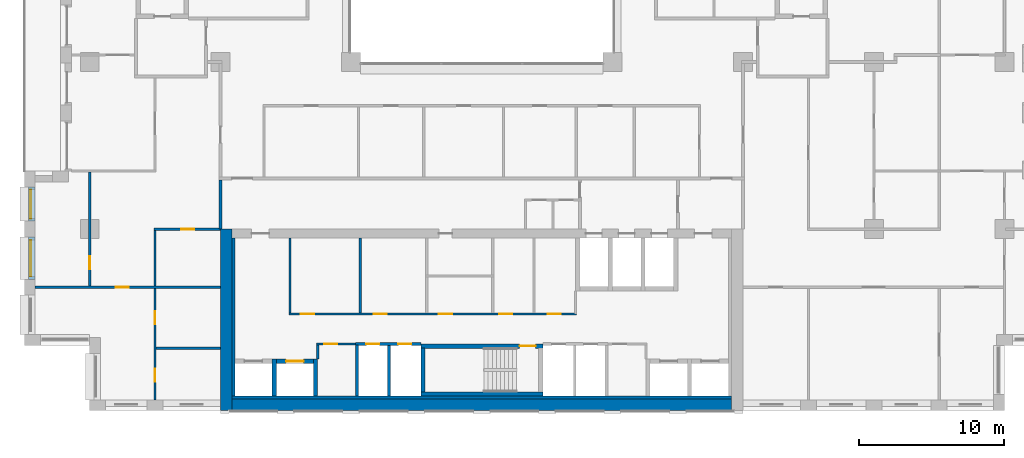
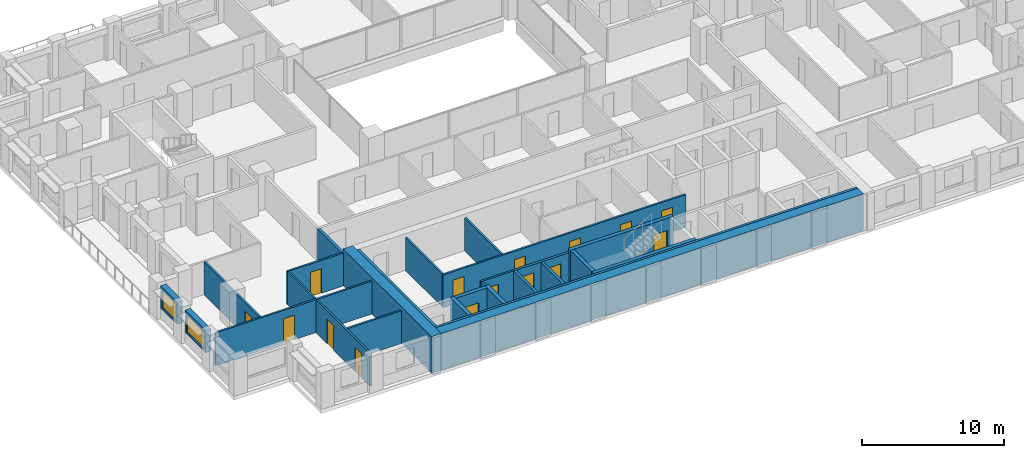
# One storey, part 8 of 16: 27 walls, 15 doors, 2 windows, 17 openings.
"""IFC4 building model written with IfcOpenShell, lengths in metres."""

from ifc_helpers import new_model, si_unit, direction, frame, frame_2d, origin, place, context, subcontext, project, spatial, rectangle, extrude, material, layer, layer_set, type_object, element, fill, save


model = new_model("IFC4")

# Units and contexts
model_context = context("Model", 3, precision=1e-05, world=origin(), true_north=direction((0.0, 1.0)))
body_context = subcontext(model_context, "Body", "Model", "MODEL_VIEW")
ifc_project = project(units=[si_unit("LENGTHUNIT", "METRE"), si_unit("AREAUNIT", "SQUARE_METRE"), si_unit("VOLUMEUNIT", "CUBIC_METRE"), si_unit("PLANEANGLEUNIT", "RADIAN"), si_unit("MASSUNIT", "GRAM", prefix="KILO")], contexts=[model_context])

# Site, building, storey
site_placement = place(None, origin())
site = spatial("IfcSite", under=ifc_project, at=site_placement, CompositionType="ELEMENT")
building_placement = place(site_placement, origin())
building = spatial("IfcBuilding", under=site, at=building_placement, Name="Brigalow Station Residences", CompositionType="ELEMENT")
storey_placement = place(building_placement, frame((0.0, 0.0, 83.550048828125)))
storey = spatial("IfcBuildingStorey", under=building, at=storey_placement, Name="L23", CompositionType="ELEMENT", Elevation=83.550048828125)

# Wall, opening, window
ifc_material_1 = material(Name="Clay brick masonry", Category="masonry")
ifc_layer_1 = layer(ifc_material_1, 0.449951171875)
ifc_layer_set_1 = layer_set([ifc_layer_1], Name="BRICK INFILL WALL 450")
wall_type_1 = type_object("IfcWallType", Name="BRICK INFILL WALL 450", PredefinedType="SOLIDWALL", material=ifc_layer_set_1)
wall_1_placement = place(storey_placement, frame((5.02490234375, 15.39990234375, 0.89990234375), z_axis=(0.0, 0.0, 1.0), x_axis=(0.0, -1.0, 0.0)))
wall_1 = element("IfcWall", 1, at=wall_1_placement, inside=storey, type_object=wall_type_1, Name="L23/ewall/W-L23-47", PredefinedType="SOLIDWALL", context=body_context, shape_type="SweptSolid", body=[
    extrude(rectangle(XDim=2.349853515625, YDim=0.449951171875, at=frame_2d((1.1748046875, 0.0))), origin(), (0.0, 0.0, 1.0), 1.929931640625),
])
opening_1_placement = place(wall_1_placement, frame((0.175048828125, 0.0, 0.14990234375)))
opening_1 = element("IfcOpeningElement", 2, at=opening_1_placement, cuts=wall_1, Name="Opening WT-7", PredefinedType="OPENING", context=body_context, shape_type="SweptSolid", body=[
    extrude(rectangle(XDim=2.0, YDim=1.5, at=frame_2d((1.0, 0.75))), frame((0.0, 0.23486328125, 0.0), z_axis=(0.0, -1.0, 0.0), x_axis=(1.0, 0.0, 0.0)), (0.0, 0.0, 1.0), 0.469970703125),
])
ifc_material_2 = material(Name="Anodised aluminium frame with double glazing", Category="aluminium")
window_type_1 = type_object("IfcWindowType", Name="WINDOW 2000x1500", PartitioningType="SINGLE_PANEL", PredefinedType="WINDOW", material=ifc_material_2)
window_1_placement = place(opening_1_placement, origin())
window_1 = element("IfcWindow", 3, at=window_1_placement, inside=storey, type_object=window_type_1, Name="L23/window/W-L23-47", OverallHeight=1.5, OverallWidth=2.0, PartitioningType="SINGLE_PANEL", PredefinedType="WINDOW", context=body_context, shape_type="SweptSolid", body=[
    extrude(rectangle(XDim=2.0, YDim=1.5, at=frame_2d((1.0, 0.75))), frame((0.0, -0.06494140625, 0.0), z_axis=(0.0, -1.0, 0.0), x_axis=(1.0, 0.0, 0.0)), (0.0, 0.0, 1.0), 0.06005859375),
])
fill(opening_1, window_1)

wall_2_placement = place(storey_placement, frame((5.02490234375, 11.949951171875, 0.89990234375), z_axis=(0.0, 0.0, 1.0), x_axis=(0.0, -1.0, 0.0)))
wall_2 = element("IfcWall", 4, at=wall_2_placement, inside=storey, type_object=wall_type_1, Name="L23/ewall/W-L23-48", PredefinedType="SOLIDWALL", context=body_context, shape_type="SweptSolid", body=[
    extrude(rectangle(XDim=2.89990234375, YDim=0.449951171875, at=frame_2d((1.449951171875, 0.0))), origin(), (0.0, 0.0, 1.0), 1.929931640625),
])
opening_2_placement = place(wall_2_placement, frame((0.199951171875, 0.0, 0.14990234375)))
opening_2 = element("IfcOpeningElement", 5, at=opening_2_placement, cuts=wall_2, Name="Opening WT-5", PredefinedType="OPENING", context=body_context, shape_type="SweptSolid", body=[
    extrude(rectangle(XDim=2.5, YDim=1.5, at=frame_2d((1.25, 0.75))), frame((0.0, 0.23486328125, 0.0), z_axis=(0.0, -1.0, 0.0), x_axis=(1.0, 0.0, 0.0)), (0.0, 0.0, 1.0), 0.469970703125),
])
ifc_material_3 = material(Name="Anodised aluminium frame with double glazing", Category="aluminium")
window_type_2 = type_object("IfcWindowType", Name="WINDOW 2500x1500", PartitioningType="SINGLE_PANEL", PredefinedType="WINDOW", material=ifc_material_3)
window_2_placement = place(opening_2_placement, origin())
window_2 = element("IfcWindow", 6, at=window_2_placement, inside=storey, type_object=window_type_2, Name="L23/window/W-L23-48", OverallHeight=1.5, OverallWidth=2.5, PartitioningType="SINGLE_PANEL", PredefinedType="WINDOW", context=body_context, shape_type="SweptSolid", body=[
    extrude(rectangle(XDim=2.5, YDim=1.5, at=frame_2d((1.25, 0.75))), frame((0.0, -0.06494140625, 0.0), z_axis=(0.0, -1.0, 0.0), x_axis=(1.0, 0.0, 0.0)), (0.0, 0.0, 1.0), 0.06005859375),
])
fill(opening_2, window_2)

# Walls
ifc_material_4 = material(Name="Concrete C65", Category="concrete")
ifc_layer_2 = layer(ifc_material_4, 0.199951171875)
ifc_layer_set_2 = layer_set([ifc_layer_2], Name="CORE SHEAR WALL 200 C65")
wall_type_2 = type_object("IfcWallType", Name="CORE SHEAR WALL 200 C65", PredefinedType="SHEAR", material=ifc_layer_set_2)
wall_3_placement = place(storey_placement, frame((18.89990234375, 1.0, 0.0), z_axis=(0.0, 0.0, 1.0), x_axis=(0.0, 1.0, 0.0)))
element("IfcWall", 7, at=wall_3_placement, inside=storey, type_object=wall_type_2, Name="CORE WALL LIN-W L23", PredefinedType="SHEAR", context=body_context, shape_type="SweptSolid", body=[
    extrude(rectangle(XDim=10.89990234375, YDim=0.199951171875, at=frame_2d((5.449951171875, 0.0))), origin(), (0.0, 0.0, 1.0), 3.14990234375),
])
wall_4_placement = place(storey_placement, frame((18.800048828125, 0.89990234375, 0.0), z_axis=(0.0, 0.0, 1.0), x_axis=(1.0, 0.0, 0.0)))
element("IfcWall", 8, at=wall_4_placement, inside=storey, type_object=wall_type_2, Name="CORE WALL LIN-S L23", PredefinedType="SHEAR", context=body_context, shape_type="SweptSolid", body=[
    extrude(rectangle(XDim=34.39990234375, YDim=0.199951171875, at=frame_2d((17.199951171875, 0.0))), origin(), (0.0, 0.0, 1.0), 3.14990234375),
])

# Wall, opening, door
ifc_material_5 = material(Name="Concrete C65", Category="concrete")
ifc_layer_3 = layer(ifc_material_5, 0.300048828125)
ifc_layer_set_3 = layer_set([ifc_layer_3], Name="CORE SHEAR WALL 300 C65")
wall_type_3 = type_object("IfcWallType", Name="CORE SHEAR WALL 300 C65", PredefinedType="SHEAR", material=ifc_layer_set_3)
wall_5_placement = place(storey_placement, frame((21.85009765625, 3.39990234375, 0.0), z_axis=(0.0, 0.0, 1.0), x_axis=(1.0, 0.0, 0.0)))
wall_5 = element("IfcWall", 9, at=wall_5_placement, inside=storey, type_object=wall_type_3, Name="CORE WALL SH-C2-N L23", PredefinedType="SHEAR", context=body_context, shape_type="SweptSolid", body=[
    extrude(rectangle(XDim=2.5498046875, YDim=0.300048828125, at=frame_2d((1.27490234375, 0.0))), origin(), (0.0, 0.0, 1.0), 3.14990234375),
])
opening_3_placement = place(wall_5_placement, frame((0.675048828125, 0.0, 0.0)))
opening_3 = element("IfcOpeningElement", 10, at=opening_3_placement, cuts=wall_5, Name="Opening LD-LB2", PredefinedType="OPENING", context=body_context, shape_type="SweptSolid", body=[
    extrude(rectangle(XDim=1.199951171875, YDim=2.10009765625, at=frame_2d((0.60009765625, 1.050048828125))), frame((0.0, 0.16015625, 0.0), z_axis=(0.0, -1.0, 0.0), x_axis=(1.0, 0.0, 0.0)), (0.0, 0.0, 1.0), 0.320068359375),
])
ifc_material_6 = material(Name="Stainless steel sliding door leaves", Category="steel")
door_type_1 = type_object("IfcDoorType", Name="LIFT LANDING DOOR 1200 x 2100", OperationType="DOUBLE_DOOR_SLIDING", PredefinedType="DOOR", material=ifc_material_6)
door_1_placement = place(opening_3_placement, origin())
door_1 = element("IfcDoor", 11, at=door_1_placement, inside=storey, type_object=door_type_1, Name="LANDING DOOR LB2", OperationType="DOUBLE_DOOR_SLIDING", OverallHeight=2.10009765625, OverallWidth=1.199951171875, PredefinedType="DOOR", context=body_context, shape_type="SweptSolid", body=[
    extrude(rectangle(XDim=1.199951171875, YDim=2.10009765625, at=frame_2d((0.60009765625, 1.050048828125))), frame((0.0, 0.02490234375, 0.0), z_axis=(0.0, -1.0, 0.0), x_axis=(1.0, 0.0, 0.0)), (0.0, 0.0, 1.0), 0.050048828125),
])
fill(opening_3, door_1)

# Walls
for number, where, z_axis, x_axis, name in (
    (12, (21.699951171875, 1.0, 0.0), (0.0, 0.0, 1.0), (0.0, 1.0, 0.0), "CORE WALL SH-C2-W L23"),
    (13, (24.550048828125, 1.0, 0.0), (0.0, 0.0, 1.0), (0.0, 1.0, 0.0), "CORE WALL SH-C2-E L23"),
):
    element("IfcWall", number, at=place(storey_placement, frame(where, z_axis=z_axis, x_axis=x_axis)), inside=storey, type_object=wall_type_3, Name=name, PredefinedType="SHEAR", context=body_context, shape_type="SweptSolid", body=[
        extrude(rectangle(XDim=2.550048828125, YDim=0.300048828125, at=frame_2d((1.27490234375, 0.0))), origin(), (0.0, 0.0, 1.0), 3.14990234375),
    ])
wall_6_placement = place(storey_placement, frame((31.800048828125, 1.14990234375, 0.0), z_axis=(0.0, 0.0, 1.0), x_axis=(1.0, 0.0, 0.0)))
element("IfcWall", 14, at=wall_6_placement, inside=storey, type_object=wall_type_3, Name="CORE WALL ST-S2-S L23", PredefinedType="SHEAR", context=body_context, shape_type="SweptSolid", body=[
    extrude(rectangle(XDim=8.39990234375, YDim=0.300048828125, at=frame_2d((4.199951171875, 0.0))), origin(), (0.0, 0.0, 1.0), 3.14990234375),
])

# Wall, opening, door
wall_7_placement = place(storey_placement, frame((31.800048828125, 4.449951171875, 0.0), z_axis=(0.0, 0.0, 1.0), x_axis=(1.0, 0.0, 0.0)))
wall_7 = element("IfcWall", 15, at=wall_7_placement, inside=storey, type_object=wall_type_3, Name="CORE WALL ST-S2-N L23", PredefinedType="SHEAR", context=body_context, shape_type="SweptSolid", body=[
    extrude(rectangle(XDim=8.39990234375, YDim=0.300048828125, at=frame_2d((4.199951171875, 0.0))), origin(), (0.0, 0.0, 1.0), 3.14990234375),
])
opening_4_placement = place(wall_7_placement, frame((6.800048828125, 0.0, 0.0)))
opening_4 = element("IfcOpeningElement", 16, at=opening_4_placement, cuts=wall_7, Name="Opening D-5001", PredefinedType="OPENING", context=body_context, shape_type="SweptSolid", body=[
    extrude(rectangle(XDim=1.10009765625, YDim=2.10009765625, at=frame_2d((0.550048828125, 1.050048828125))), frame((0.0, 0.16015625, 0.0), z_axis=(0.0, -1.0, 0.0), x_axis=(1.0, 0.0, 0.0)), (0.0, 0.0, 1.0), 0.320068359375),
])
ifc_material_7 = material(Name="Steel fire door leaf in steel frame", Category="steel")
door_type_2 = type_object("IfcDoorType", Name="STAIR DOOR 1100 x 2100 FD60S", OperationType="SINGLE_SWING_LEFT", PredefinedType="DOOR", material=ifc_material_7)
door_2_placement = place(opening_4_placement, frame((1.10009765625, 0.0, 0.0), z_axis=(0.0, 0.0, 1.0), x_axis=(-1.0, 0.0, 0.0)))
door_2 = element("IfcDoor", 17, at=door_2_placement, inside=storey, type_object=door_type_2, Name="D-5001", OperationType="SINGLE_SWING_LEFT", OverallHeight=2.10009765625, OverallWidth=1.10009765625, PredefinedType="DOOR", context=body_context, shape_type="SweptSolid", body=[
    extrude(rectangle(XDim=1.10009765625, YDim=2.10009765625, at=frame_2d((0.550048828125, 1.050048828125))), frame((0.0, 0.02490234375, 0.0), z_axis=(0.0, -1.0, 0.0), x_axis=(1.0, 0.0, 0.0)), (0.0, 0.0, 1.0), 0.050048828125),
])
fill(opening_4, door_2)

# Walls
wall_8_placement = place(storey_placement, frame((31.949951171875, 1.300048828125, 0.0), z_axis=(0.0, 0.0, 1.0), x_axis=(0.0, 1.0, 0.0)))
element("IfcWall", 18, at=wall_8_placement, inside=storey, type_object=wall_type_3, Name="CORE WALL ST-S2-W L23", PredefinedType="SHEAR", context=body_context, shape_type="SweptSolid", body=[
    extrude(rectangle(XDim=3.0, YDim=0.300048828125, at=frame_2d((1.5, 0.0))), origin(), (0.0, 0.0, 1.0), 3.14990234375),
])
ifc_material_8 = material(Name="Concrete C65", Category="concrete")
ifc_layer_4 = layer(ifc_material_8, 0.800048828125)
ifc_layer_set_4 = layer_set([ifc_layer_4], Name="CORE SHEAR WALL 800 C65")
wall_type_4 = type_object("IfcWallType", Name="CORE SHEAR WALL 800 C65", PredefinedType="SHEAR", material=ifc_layer_set_4)
wall_9_placement = place(storey_placement, frame((18.39990234375, 0.0, 0.0), z_axis=(0.0, 0.0, 1.0), x_axis=(0.0, 1.0, 0.0)))
element("IfcWall", 19, at=wall_9_placement, inside=storey, type_object=wall_type_4, Name="CORE WALL OUT-W L23", PredefinedType="SHEAR", context=body_context, shape_type="SweptSolid", body=[
    extrude(rectangle(XDim=12.5, YDim=0.800048828125, at=frame_2d((6.25, 0.0))), origin(), (0.0, 0.0, 1.0), 3.14990234375),
])
wall_10_placement = place(storey_placement, frame((18.800048828125, 0.39990234375, 0.0), z_axis=(0.0, 0.0, 1.0), x_axis=(1.0, 0.0, 0.0)))
element("IfcWall", 20, at=wall_10_placement, inside=storey, type_object=wall_type_4, Name="CORE WALL OUT-S L23", PredefinedType="SHEAR", context=body_context, shape_type="SweptSolid", body=[
    extrude(rectangle(XDim=34.39990234375, YDim=0.800048828125, at=frame_2d((17.199951171875, 0.0))), origin(), (0.0, 0.0, 1.0), 3.14990234375),
])

# Wall, openings, doors
ifc_material_9 = material(Name="Concrete blockwork", Category="masonry")
ifc_layer_5 = layer(ifc_material_9, 0.199951171875)
ifc_layer_set_5 = layer_set([ifc_layer_5], Name="FIRE RATED CORE PARTITION 200")
wall_type_5 = type_object("IfcWallType", Name="FIRE RATED CORE PARTITION 200", PredefinedType="PARTITIONING", material=ifc_layer_set_5)
wall_11_placement = place(storey_placement, frame((27.300048828125, 4.60009765625, 0.0), z_axis=(0.0, 0.0, 1.0), x_axis=(1.0, 0.0, 0.0)))
wall_11 = element("IfcWall", 21, at=wall_11_placement, inside=storey, type_object=wall_type_5, Name="PW-5017", PredefinedType="PARTITIONING", context=body_context, shape_type="SweptSolid", body=[
    extrude(rectangle(XDim=4.5, YDim=0.199951171875, at=frame_2d((2.25, 0.0))), origin(), (0.0, 0.0, 1.0), 2.829833984375),
])
opening_5_placement = place(wall_11_placement, frame((0.75, 0.0, 0.0)))
opening_5 = element("IfcOpeningElement", 22, at=opening_5_placement, cuts=wall_11, Name="Opening D-5007", PredefinedType="OPENING", context=body_context, shape_type="SweptSolid", body=[
    extrude(rectangle(XDim=0.89990234375, YDim=2.10009765625, at=frame_2d((0.449951171875, 1.050048828125))), frame((0.0, 0.10986328125, 0.0), z_axis=(0.0, -1.0, 0.0), x_axis=(1.0, 0.0, 0.0)), (0.0, 0.0, 1.0), 0.219970703125),
])
opening_6_placement = place(wall_11_placement, frame((2.949951171875, 0.0, 0.0)))
opening_6 = element("IfcOpeningElement", 23, at=opening_6_placement, cuts=wall_11, Name="Opening D-5008", PredefinedType="OPENING", context=body_context, shape_type="SweptSolid", body=[
    extrude(rectangle(XDim=0.89990234375, YDim=2.10009765625, at=frame_2d((0.449951171875, 1.050048828125))), frame((0.0, 0.10986328125, 0.0), z_axis=(0.0, -1.0, 0.0), x_axis=(1.0, 0.0, 0.0)), (0.0, 0.0, 1.0), 0.219970703125),
])
ifc_material_10 = material(Name="Steel fire door leaf in steel frame", Category="steel")
door_type_3 = type_object("IfcDoorType", Name="RISER ACCESS DOOR 900 x 2100 FD120", OperationType="SINGLE_SWING_LEFT", PredefinedType="DOOR", material=ifc_material_10)
door_3_placement = place(opening_5_placement, frame((0.89990234375, 0.0, 0.0), z_axis=(0.0, 0.0, 1.0), x_axis=(-1.0, 0.0, 0.0)))
door_3 = element("IfcDoor", 24, at=door_3_placement, inside=storey, type_object=door_type_3, Name="D-5007", OperationType="SINGLE_SWING_RIGHT", OverallHeight=2.10009765625, OverallWidth=0.89990234375, PredefinedType="DOOR", context=body_context, shape_type="SweptSolid", body=[
    extrude(rectangle(XDim=0.89990234375, YDim=2.10009765625, at=frame_2d((0.449951171875, 1.050048828125))), frame((0.0, 0.02490234375, 0.0), z_axis=(0.0, -1.0, 0.0), x_axis=(1.0, 0.0, 0.0)), (0.0, 0.0, 1.0), 0.050048828125),
])
fill(opening_5, door_3)
door_4_placement = place(opening_6_placement, frame((0.89990234375, 0.0, 0.0), z_axis=(0.0, 0.0, 1.0), x_axis=(-1.0, 0.0, 0.0)))
door_4 = element("IfcDoor", 25, at=door_4_placement, inside=storey, type_object=door_type_3, Name="D-5008", OperationType="SINGLE_SWING_RIGHT", OverallHeight=2.10009765625, OverallWidth=0.89990234375, PredefinedType="DOOR", context=body_context, shape_type="SweptSolid", body=[
    extrude(rectangle(XDim=0.89990234375, YDim=2.10009765625, at=frame_2d((0.449951171875, 1.050048828125))), frame((0.0, 0.02490234375, 0.0), z_axis=(0.0, -1.0, 0.0), x_axis=(1.0, 0.0, 0.0)), (0.0, 0.0, 1.0), 0.050048828125),
])
fill(opening_6, door_4)

# Walls
wall_12_placement = place(storey_placement, frame((27.39990234375, 1.0, 0.0), z_axis=(0.0, 0.0, 1.0), x_axis=(0.0, 1.0, 0.0)))
element("IfcWall", 26, at=wall_12_placement, inside=storey, type_object=wall_type_5, Name="PW-5027", PredefinedType="PARTITIONING", context=body_context, shape_type="SweptSolid", body=[
    extrude(rectangle(XDim=3.52490234375, YDim=0.199951171875, at=frame_2d((1.762451171875, 0.0))), origin(), (0.0, 0.0, 1.0), 2.829833984375),
])
wall_13_placement = place(storey_placement, frame((29.60009765625, 1.0, 0.0), z_axis=(0.0, 0.0, 1.0), x_axis=(0.0, 1.0, 0.0)))
element("IfcWall", 27, at=wall_13_placement, inside=storey, type_object=wall_type_5, Name="PW-5006", PredefinedType="PARTITIONING", context=body_context, shape_type="SweptSolid", body=[
    extrude(rectangle(XDim=3.5, YDim=0.199951171875, at=frame_2d((1.75, 0.0))), origin(), (0.0, 0.0, 1.0), 2.829833984375),
])
wall_14_placement = place(storey_placement, frame((18.0, 12.5, 0.0), z_axis=(0.0, 0.0, 1.0), x_axis=(0.0, 1.0, 0.0)))
element("IfcWall", 28, at=wall_14_placement, inside=storey, type_object=wall_type_5, Name="PW-5013", PredefinedType="PARTITIONING", context=body_context, shape_type="SweptSolid", body=[
    extrude(rectangle(XDim=3.39990234375, YDim=0.199951171875, at=frame_2d((1.699951171875, 0.0))), origin(), (0.0, 0.0, 1.0), 2.829833984375),
])

# Wall, opening, door
ifc_material_11 = material(Name="Plasterboard on steel stud partition", Category="steel")
ifc_layer_6 = layer(ifc_material_11, 0.14990234375)
ifc_layer_set_6 = layer_set([ifc_layer_6], Name="FLAT PARTITION 150")
wall_type_6 = type_object("IfcWallType", Name="FLAT PARTITION 150", PredefinedType="PARTITIONING", material=ifc_layer_set_6)
wall_15_placement = place(storey_placement, frame((5.25, 8.5, 0.0), z_axis=(0.0, 0.0, 1.0), x_axis=(1.0, 0.0, 0.0)))
wall_15 = element("IfcWall", 29, at=wall_15_placement, inside=storey, type_object=wall_type_6, Name="PW-2A11", PredefinedType="PARTITIONING", context=body_context, shape_type="SweptSolid", body=[
    extrude(rectangle(XDim=12.75, YDim=0.14990234375, at=frame_2d((6.375, 0.0))), origin(), (0.0, 0.0, 1.0), 2.829833984375),
])
opening_7_placement = place(wall_15_placement, frame((5.550048828125, 0.0, 0.0)))
opening_7 = element("IfcOpeningElement", 30, at=opening_7_placement, cuts=wall_15, Name="Opening D-2A04", PredefinedType="OPENING", context=body_context, shape_type="SweptSolid", body=[
    extrude(rectangle(XDim=0.89990234375, YDim=2.10009765625, at=frame_2d((0.449951171875, 1.050048828125))), frame((0.0, 0.0849609375, 0.0), z_axis=(0.0, -1.0, 0.0), x_axis=(1.0, 0.0, 0.0)), (0.0, 0.0, 1.0), 0.169921875),
])
ifc_material_12 = material(Name="Solid-core timber door leaf", Category="wood")
door_type_4 = type_object("IfcDoorType", Name="INTERNAL DOOR 900 x 2100", OperationType="SINGLE_SWING_LEFT", PredefinedType="DOOR", material=ifc_material_12)
door_5_placement = place(opening_7_placement, frame((0.89990234375, 0.0, 0.0), z_axis=(0.0, 0.0, 1.0), x_axis=(-1.0, 0.0, 0.0)))
door_5 = element("IfcDoor", 31, at=door_5_placement, inside=storey, type_object=door_type_4, Name="D-2A04", OperationType="SINGLE_SWING_LEFT", OverallHeight=2.10009765625, OverallWidth=0.89990234375, PredefinedType="DOOR", context=body_context, shape_type="SweptSolid", body=[
    extrude(rectangle(XDim=0.89990234375, YDim=2.10009765625, at=frame_2d((0.449951171875, 1.050048828125))), frame((0.0, 0.02490234375, 0.0), z_axis=(0.0, -1.0, 0.0), x_axis=(1.0, 0.0, 0.0)), (0.0, 0.0, 1.0), 0.050048828125),
])
fill(opening_7, door_5)

# Wall
wall_16_placement = place(storey_placement, frame((13.574951171875, 4.300048828125, 0.0), z_axis=(0.0, 0.0, 1.0), x_axis=(1.0, 0.0, 0.0)))
element("IfcWall", 32, at=wall_16_placement, inside=storey, type_object=wall_type_6, Name="PW-2A13", PredefinedType="PARTITIONING", context=body_context, shape_type="SweptSolid", body=[
    extrude(rectangle(XDim=4.425048828125, YDim=0.14990234375, at=frame_2d((2.21240234375, 0.0))), origin(), (0.0, 0.0, 1.0), 2.829833984375),
])

# Wall, opening, door
wall_17_placement = place(storey_placement, frame((13.425048828125, 12.5, 0.0), z_axis=(0.0, 0.0, 1.0), x_axis=(1.0, 0.0, 0.0)))
wall_17 = element("IfcWall", 33, at=wall_17_placement, inside=storey, type_object=wall_type_6, Name="PW-2A16", PredefinedType="PARTITIONING", context=body_context, shape_type="SweptSolid", body=[
    extrude(rectangle(XDim=4.574951171875, YDim=0.14990234375, at=frame_2d((2.28759765625, 0.0))), origin(), (0.0, 0.0, 1.0), 2.829833984375),
])
opening_8_placement = place(wall_17_placement, frame((1.875, 0.0, 0.0)))
opening_8 = element("IfcOpeningElement", 34, at=opening_8_placement, cuts=wall_17, Name="Opening D-2A08", PredefinedType="OPENING", context=body_context, shape_type="SweptSolid", body=[
    extrude(rectangle(XDim=0.89990234375, YDim=2.10009765625, at=frame_2d((0.449951171875, 1.050048828125))), frame((0.0, 0.0849609375, 0.0), z_axis=(0.0, -1.0, 0.0), x_axis=(1.0, 0.0, 0.0)), (0.0, 0.0, 1.0), 0.169921875),
])
door_6_placement = place(opening_8_placement, frame((0.89990234375, 0.0, 0.0), z_axis=(0.0, 0.0, 1.0), x_axis=(-1.0, 0.0, 0.0)))
door_6 = element("IfcDoor", 35, at=door_6_placement, inside=storey, type_object=door_type_4, Name="D-2A08", OperationType="SINGLE_SWING_RIGHT", OverallHeight=2.10009765625, OverallWidth=0.89990234375, PredefinedType="DOOR", context=body_context, shape_type="SweptSolid", body=[
    extrude(rectangle(XDim=0.89990234375, YDim=2.10009765625, at=frame_2d((0.449951171875, 1.050048828125))), frame((0.0, 0.02490234375, 0.0), z_axis=(0.0, -1.0, 0.0), x_axis=(1.0, 0.0, 0.0)), (0.0, 0.0, 1.0), 0.050048828125),
])
fill(opening_8, door_6)

# Wall, openings, doors
wall_18_placement = place(storey_placement, frame((13.5, 0.75, 0.0), z_axis=(0.0, 0.0, 1.0), x_axis=(0.0, 1.0, 0.0)))
wall_18 = element("IfcWall", 36, at=wall_18_placement, inside=storey, type_object=wall_type_6, Name="PW-2A48", PredefinedType="PARTITIONING", context=body_context, shape_type="SweptSolid", body=[
    extrude(rectangle(XDim=7.675048828125, YDim=0.14990234375, at=frame_2d((3.83740234375, 0.0))), origin(), (0.0, 0.0, 1.0), 2.829833984375),
])
opening_9_placement = place(wall_18_placement, frame((1.25, 0.0, 0.0)))
opening_9 = element("IfcOpeningElement", 37, at=opening_9_placement, cuts=wall_18, Name="Opening D-2A05", PredefinedType="OPENING", context=body_context, shape_type="SweptSolid", body=[
    extrude(rectangle(XDim=0.89990234375, YDim=2.10009765625, at=frame_2d((0.449951171875, 1.050048828125))), frame((0.0, 0.0849609375, 0.0), z_axis=(0.0, -1.0, 0.0), x_axis=(1.0, 0.0, 0.0)), (0.0, 0.0, 1.0), 0.169921875),
])
opening_10_placement = place(wall_18_placement, frame((5.199951171875, 0.0, 0.0)))
opening_10 = element("IfcOpeningElement", 38, at=opening_10_placement, cuts=wall_18, Name="Opening D-2A06", PredefinedType="OPENING", context=body_context, shape_type="SweptSolid", body=[
    extrude(rectangle(XDim=0.89990234375, YDim=2.10009765625, at=frame_2d((0.449951171875, 1.050048828125))), frame((0.0, 0.0849609375, 0.0), z_axis=(0.0, -1.0, 0.0), x_axis=(1.0, 0.0, 0.0)), (0.0, 0.0, 1.0), 0.169921875),
])
door_7_placement = place(opening_9_placement, frame((0.89990234375, 0.0, 0.0), z_axis=(0.0, 0.0, 1.0), x_axis=(-1.0, 0.0, 0.0)))
door_7 = element("IfcDoor", 39, at=door_7_placement, inside=storey, type_object=door_type_4, Name="D-2A05", OperationType="SINGLE_SWING_RIGHT", OverallHeight=2.10009765625, OverallWidth=0.89990234375, PredefinedType="DOOR", context=body_context, shape_type="SweptSolid", body=[
    extrude(rectangle(XDim=0.89990234375, YDim=2.10009765625, at=frame_2d((0.449951171875, 1.050048828125))), frame((0.0, 0.02490234375, 0.0), z_axis=(0.0, -1.0, 0.0), x_axis=(1.0, 0.0, 0.0)), (0.0, 0.0, 1.0), 0.050048828125),
])
fill(opening_9, door_7)
door_8_placement = place(opening_10_placement, frame((0.89990234375, 0.0, 0.0), z_axis=(0.0, 0.0, 1.0), x_axis=(-1.0, 0.0, 0.0)))
door_8 = element("IfcDoor", 40, at=door_8_placement, inside=storey, type_object=door_type_4, Name="D-2A06", OperationType="SINGLE_SWING_LEFT", OverallHeight=2.10009765625, OverallWidth=0.89990234375, PredefinedType="DOOR", context=body_context, shape_type="SweptSolid", body=[
    extrude(rectangle(XDim=0.89990234375, YDim=2.10009765625, at=frame_2d((0.449951171875, 1.050048828125))), frame((0.0, 0.02490234375, 0.0), z_axis=(0.0, -1.0, 0.0), x_axis=(1.0, 0.0, 0.0)), (0.0, 0.0, 1.0), 0.050048828125),
])
fill(opening_10, door_8)

# Wall
wall_19_placement = place(storey_placement, frame((13.5, 8.574951171875, 0.0), z_axis=(0.0, 0.0, 1.0), x_axis=(0.0, 1.0, 0.0)))
element("IfcWall", 41, at=wall_19_placement, inside=storey, type_object=wall_type_6, Name="PW-2A49", PredefinedType="PARTITIONING", context=body_context, shape_type="SweptSolid", body=[
    extrude(rectangle(XDim=3.85009765625, YDim=0.14990234375, at=frame_2d((1.925048828125, 0.0))), origin(), (0.0, 0.0, 1.0), 2.829833984375),
])

# Wall, opening, door
wall_20_placement = place(storey_placement, frame((9.0, 8.574951171875, 0.0), z_axis=(0.0, 0.0, 1.0), x_axis=(0.0, 1.0, 0.0)))
wall_20 = element("IfcWall", 42, at=wall_20_placement, inside=storey, type_object=wall_type_6, Name="PW-2A52", PredefinedType="PARTITIONING", context=body_context, shape_type="SweptSolid", body=[
    extrude(rectangle(XDim=7.85009765625, YDim=0.14990234375, at=frame_2d((3.925048828125, 0.0))), origin(), (0.0, 0.0, 1.0), 2.829833984375),
])
opening_11_placement = place(wall_20_placement, frame((1.14990234375, 0.0, 0.0)))
opening_11 = element("IfcOpeningElement", 43, at=opening_11_placement, cuts=wall_20, Name="Opening D-2A07", PredefinedType="OPENING", context=body_context, shape_type="SweptSolid", body=[
    extrude(rectangle(XDim=0.89990234375, YDim=2.10009765625, at=frame_2d((0.449951171875, 1.050048828125))), frame((0.0, 0.0849609375, 0.0), z_axis=(0.0, -1.0, 0.0), x_axis=(1.0, 0.0, 0.0)), (0.0, 0.0, 1.0), 0.169921875),
])
door_9_placement = place(opening_11_placement, origin())
door_9 = element("IfcDoor", 44, at=door_9_placement, inside=storey, type_object=door_type_4, Name="D-2A07", OperationType="SINGLE_SWING_LEFT", OverallHeight=2.10009765625, OverallWidth=0.89990234375, PredefinedType="DOOR", context=body_context, shape_type="SweptSolid", body=[
    extrude(rectangle(XDim=0.89990234375, YDim=2.10009765625, at=frame_2d((0.449951171875, 1.050048828125))), frame((0.0, 0.02490234375, 0.0), z_axis=(0.0, -1.0, 0.0), x_axis=(1.0, 0.0, 0.0)), (0.0, 0.0, 1.0), 0.050048828125),
])
fill(opening_11, door_9)

ifc_material_13 = material(Name="Plasterboard on steel studs", Category="steel")
ifc_layer_7 = layer(ifc_material_13, 0.14990234375)
ifc_layer_set_7 = layer_set([ifc_layer_7], Name="SERVICE ROOM PARTITION 150")
wall_type_7 = type_object("IfcWallType", Name="SERVICE ROOM PARTITION 150", PredefinedType="PARTITIONING", material=ifc_layer_set_7)
wall_21_placement = place(storey_placement, frame((24.625, 4.60009765625, 0.0), z_axis=(0.0, 0.0, 1.0), x_axis=(1.0, 0.0, 0.0)))
wall_21 = element("IfcWall", 45, at=wall_21_placement, inside=storey, type_object=wall_type_7, Name="PW-5155", PredefinedType="PARTITIONING", context=body_context, shape_type="SweptSolid", body=[
    extrude(rectangle(XDim=2.675048828125, YDim=0.14990234375, at=frame_2d((1.33740234375, 0.0))), origin(), (0.0, 0.0, 1.0), 2.829833984375),
])
opening_12_placement = place(wall_21_placement, frame((0.52490234375, 0.0, 0.0)))
opening_12 = element("IfcOpeningElement", 46, at=opening_12_placement, cuts=wall_21, Name="Opening D-5087", PredefinedType="OPENING", context=body_context, shape_type="SweptSolid", body=[
    extrude(rectangle(XDim=0.89990234375, YDim=2.10009765625, at=frame_2d((0.449951171875, 1.050048828125))), frame((0.0, 0.0849609375, 0.0), z_axis=(0.0, -1.0, 0.0), x_axis=(1.0, 0.0, 0.0)), (0.0, 0.0, 1.0), 0.169921875),
])
ifc_material_14 = material(Name="Steel door leaf in steel frame", Category="steel")
door_type_5 = type_object("IfcDoorType", Name="SERVICE ROOM DOOR 900 x 2100 FD60", OperationType="SINGLE_SWING_LEFT", PredefinedType="DOOR", material=ifc_material_14)
door_10_placement = place(opening_12_placement, frame((0.89990234375, 0.0, 0.0), z_axis=(0.0, 0.0, 1.0), x_axis=(-1.0, 0.0, 0.0)))
door_10 = element("IfcDoor", 47, at=door_10_placement, inside=storey, type_object=door_type_5, Name="D-5087", OperationType="SINGLE_SWING_RIGHT", OverallHeight=2.10009765625, OverallWidth=0.89990234375, PredefinedType="DOOR", context=body_context, shape_type="SweptSolid", body=[
    extrude(rectangle(XDim=0.89990234375, YDim=2.10009765625, at=frame_2d((0.449951171875, 1.050048828125))), frame((0.0, 0.02490234375, 0.0), z_axis=(0.0, -1.0, 0.0), x_axis=(1.0, 0.0, 0.0)), (0.0, 0.0, 1.0), 0.050048828125),
])
fill(opening_12, door_10)

# Wall, openings, doors
wall_22_placement = place(storey_placement, frame((22.72509765625, 6.64990234375, 0.0), z_axis=(0.0, 0.0, 1.0), x_axis=(1.0, 0.0, 0.0)))
wall_22 = element("IfcWall", 48, at=wall_22_placement, inside=storey, type_object=wall_type_7, Name="PW-5195", PredefinedType="PARTITIONING", context=body_context, shape_type="SweptSolid", body=[
    extrude(rectangle(XDim=19.7998046875, YDim=0.14990234375, at=frame_2d((9.89990234375, 0.0))), origin(), (0.0, 0.0, 1.0), 2.829833984375),
])
opening_13_placement = place(wall_22_placement, frame((0.824951171875, 0.0, 0.0)))
opening_13 = element("IfcOpeningElement", 49, at=opening_13_placement, cuts=wall_22, Name="Opening D-5110", PredefinedType="OPENING", context=body_context, shape_type="SweptSolid", body=[
    extrude(rectangle(XDim=0.89990234375, YDim=2.10009765625, at=frame_2d((0.449951171875, 1.050048828125))), frame((0.0, 0.0849609375, 0.0), z_axis=(0.0, -1.0, 0.0), x_axis=(1.0, 0.0, 0.0)), (0.0, 0.0, 1.0), 0.169921875),
])
opening_14_placement = place(wall_22_placement, frame((5.824951171875, 0.0, 0.0)))
opening_14 = element("IfcOpeningElement", 50, at=opening_14_placement, cuts=wall_22, Name="Opening D-5111", PredefinedType="OPENING", context=body_context, shape_type="SweptSolid", body=[
    extrude(rectangle(XDim=0.89990234375, YDim=2.10009765625, at=frame_2d((0.449951171875, 1.050048828125))), frame((0.0, 0.0849609375, 0.0), z_axis=(0.0, -1.0, 0.0), x_axis=(1.0, 0.0, 0.0)), (0.0, 0.0, 1.0), 0.169921875),
])
opening_15_placement = place(wall_22_placement, frame((10.324951171875, 0.0, 0.0)))
opening_15 = element("IfcOpeningElement", 51, at=opening_15_placement, cuts=wall_22, Name="Opening D-5112", PredefinedType="OPENING", context=body_context, shape_type="SweptSolid", body=[
    extrude(rectangle(XDim=0.89990234375, YDim=2.10009765625, at=frame_2d((0.449951171875, 1.050048828125))), frame((0.0, 0.0849609375, 0.0), z_axis=(0.0, -1.0, 0.0), x_axis=(1.0, 0.0, 0.0)), (0.0, 0.0, 1.0), 0.169921875),
])
opening_16_placement = place(wall_22_placement, frame((14.47509765625, 0.0, 0.0)))
opening_16 = element("IfcOpeningElement", 52, at=opening_16_placement, cuts=wall_22, Name="Opening D-5114", PredefinedType="OPENING", context=body_context, shape_type="SweptSolid", body=[
    extrude(rectangle(XDim=0.89990234375, YDim=2.10009765625, at=frame_2d((0.449951171875, 1.050048828125))), frame((0.0, 0.0849609375, 0.0), z_axis=(0.0, -1.0, 0.0), x_axis=(1.0, 0.0, 0.0)), (0.0, 0.0, 1.0), 0.169921875),
])
opening_17_placement = place(wall_22_placement, frame((17.824951171875, 0.0, 0.0)))
opening_17 = element("IfcOpeningElement", 53, at=opening_17_placement, cuts=wall_22, Name="Opening D-5115", PredefinedType="OPENING", context=body_context, shape_type="SweptSolid", body=[
    extrude(rectangle(XDim=0.89990234375, YDim=2.10009765625, at=frame_2d((0.449951171875, 1.050048828125))), frame((0.0, 0.0849609375, 0.0), z_axis=(0.0, -1.0, 0.0), x_axis=(1.0, 0.0, 0.0)), (0.0, 0.0, 1.0), 0.169921875),
])
door_11_placement = place(opening_13_placement, origin())
door_11 = element("IfcDoor", 54, at=door_11_placement, inside=storey, type_object=door_type_5, Name="D-5110", OperationType="SINGLE_SWING_LEFT", OverallHeight=2.10009765625, OverallWidth=0.89990234375, PredefinedType="DOOR", context=body_context, shape_type="SweptSolid", body=[
    extrude(rectangle(XDim=0.89990234375, YDim=2.10009765625, at=frame_2d((0.449951171875, 1.050048828125))), frame((0.0, 0.02490234375, 0.0), z_axis=(0.0, -1.0, 0.0), x_axis=(1.0, 0.0, 0.0)), (0.0, 0.0, 1.0), 0.050048828125),
])
fill(opening_13, door_11)
door_12_placement = place(opening_14_placement, origin())
door_12 = element("IfcDoor", 55, at=door_12_placement, inside=storey, type_object=door_type_5, Name="D-5111", OperationType="SINGLE_SWING_LEFT", OverallHeight=2.10009765625, OverallWidth=0.89990234375, PredefinedType="DOOR", context=body_context, shape_type="SweptSolid", body=[
    extrude(rectangle(XDim=0.89990234375, YDim=2.10009765625, at=frame_2d((0.449951171875, 1.050048828125))), frame((0.0, 0.02490234375, 0.0), z_axis=(0.0, -1.0, 0.0), x_axis=(1.0, 0.0, 0.0)), (0.0, 0.0, 1.0), 0.050048828125),
])
fill(opening_14, door_12)
door_13_placement = place(opening_15_placement, origin())
door_13 = element("IfcDoor", 56, at=door_13_placement, inside=storey, type_object=door_type_5, Name="D-5112", OperationType="SINGLE_SWING_LEFT", OverallHeight=2.10009765625, OverallWidth=0.89990234375, PredefinedType="DOOR", context=body_context, shape_type="SweptSolid", body=[
    extrude(rectangle(XDim=0.89990234375, YDim=2.10009765625, at=frame_2d((0.449951171875, 1.050048828125))), frame((0.0, 0.02490234375, 0.0), z_axis=(0.0, -1.0, 0.0), x_axis=(1.0, 0.0, 0.0)), (0.0, 0.0, 1.0), 0.050048828125),
])
fill(opening_15, door_13)
door_14_placement = place(opening_16_placement, origin())
door_14 = element("IfcDoor", 57, at=door_14_placement, inside=storey, type_object=door_type_5, Name="D-5114", OperationType="SINGLE_SWING_LEFT", OverallHeight=2.10009765625, OverallWidth=0.89990234375, PredefinedType="DOOR", context=body_context, shape_type="SweptSolid", body=[
    extrude(rectangle(XDim=0.89990234375, YDim=2.10009765625, at=frame_2d((0.449951171875, 1.050048828125))), frame((0.0, 0.02490234375, 0.0), z_axis=(0.0, -1.0, 0.0), x_axis=(1.0, 0.0, 0.0)), (0.0, 0.0, 1.0), 0.050048828125),
])
fill(opening_16, door_14)
door_15_placement = place(opening_17_placement, origin())
door_15 = element("IfcDoor", 58, at=door_15_placement, inside=storey, type_object=door_type_5, Name="D-5115", OperationType="SINGLE_SWING_LEFT", OverallHeight=2.10009765625, OverallWidth=0.89990234375, PredefinedType="DOOR", context=body_context, shape_type="SweptSolid", body=[
    extrude(rectangle(XDim=0.89990234375, YDim=2.10009765625, at=frame_2d((0.449951171875, 1.050048828125))), frame((0.0, 0.02490234375, 0.0), z_axis=(0.0, -1.0, 0.0), x_axis=(1.0, 0.0, 0.0)), (0.0, 0.0, 1.0), 0.050048828125),
])
fill(opening_17, door_15)

# Walls
wall_23_placement = place(storey_placement, frame((24.699951171875, 3.550048828125, 0.0), z_axis=(0.0, 0.0, 1.0), x_axis=(0.0, 1.0, 0.0)))
element("IfcWall", 59, at=wall_23_placement, inside=storey, type_object=wall_type_7, Name="PW-5157", PredefinedType="PARTITIONING", context=body_context, shape_type="SweptSolid", body=[
    extrude(rectangle(XDim=0.974853515625, YDim=0.14990234375, at=frame_2d((0.4873046875, 0.0))), origin(), (0.0, 0.0, 1.0), 2.829833984375),
])
for number, where, z_axis, x_axis, name in (
    (60, (22.800048828125, 6.72509765625, 0.0), (0.0, 0.0, 1.0), (0.0, 1.0, 0.0), "PW-5197"),
    (61, (27.6298828125, 6.72509765625, 0.0), (0.0, 0.0, 1.0), (0.0, 1.0, 0.0), "PW-5198"),
):
    element("IfcWall", number, at=place(storey_placement, frame(where, z_axis=z_axis, x_axis=x_axis)), inside=storey, type_object=wall_type_7, Name=name, PredefinedType="PARTITIONING", context=body_context, shape_type="SweptSolid", body=[
        extrude(rectangle(XDim=5.1748046875, YDim=0.14990234375, at=frame_2d((2.58740234375, 0.0))), origin(), (0.0, 0.0, 1.0), 2.829833984375),
    ])

save(model, "model.ifc")
